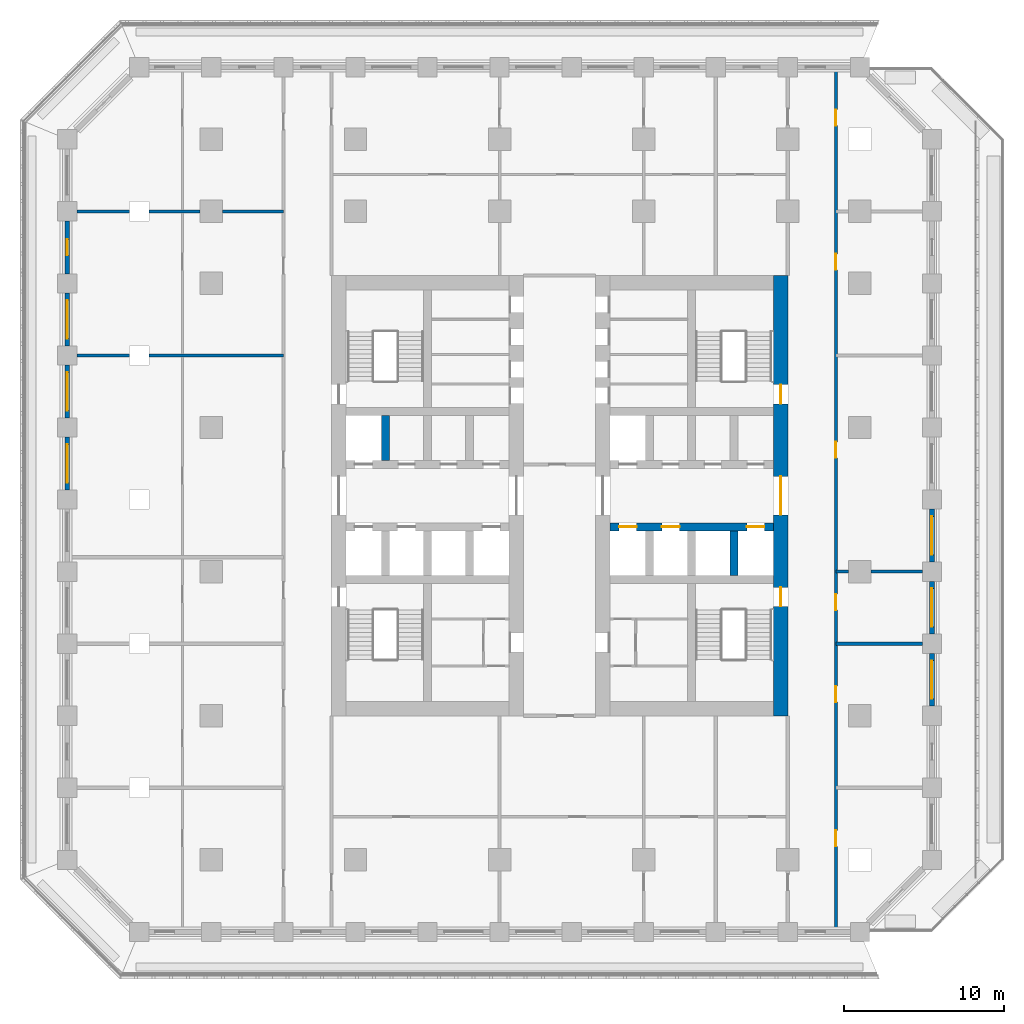
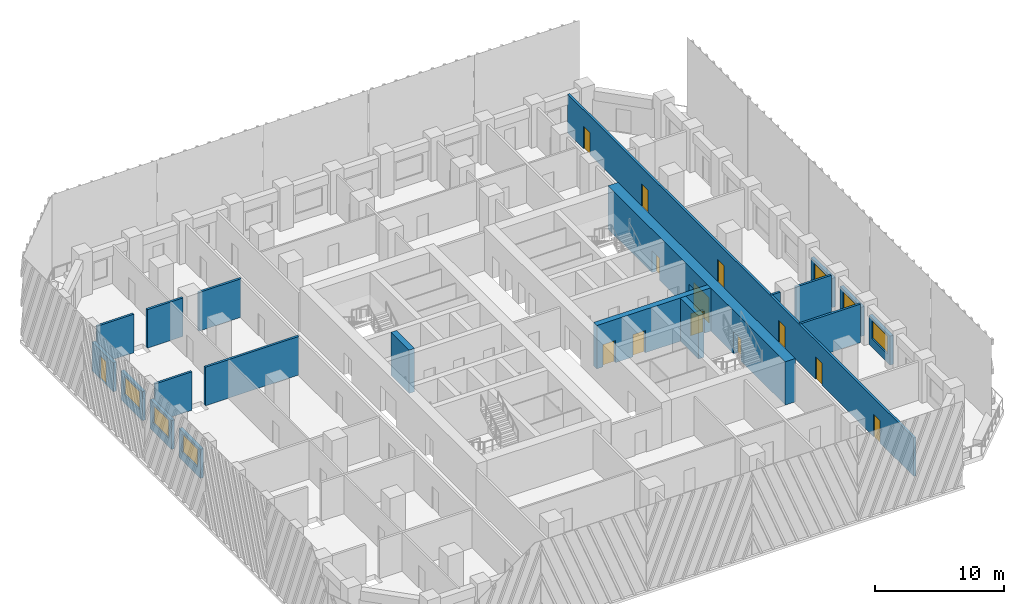
# One storey, part 6 of 19: 20 walls, 13 doors, 6 windows, 19 openings.
"""IFC4 building model written with IfcOpenShell, lengths in metres."""

from ifc_helpers import new_model, si_unit, direction, frame, frame_2d, origin, place, context, subcontext, project, spatial, rectangle, extrude, material, layer, layer_set, type_object, element, fill, save


model = new_model("IFC4")

# Units and contexts
model_context = context("Model", 3, precision=1e-05, world=origin(), true_north=direction((0.0, 1.0)))
body_context = subcontext(model_context, "Body", "Model", "MODEL_VIEW")
ifc_project = project(units=[si_unit("LENGTHUNIT", "METRE"), si_unit("AREAUNIT", "SQUARE_METRE"), si_unit("VOLUMEUNIT", "CUBIC_METRE"), si_unit("PLANEANGLEUNIT", "RADIAN"), si_unit("MASSUNIT", "GRAM", prefix="KILO")], contexts=[model_context])

# Site, building, storey
site_placement = place(None, origin())
site = spatial("IfcSite", under=ifc_project, at=site_placement, CompositionType="ELEMENT")
building_placement = place(site_placement, origin())
building = spatial("IfcBuilding", under=site, at=building_placement, Name="Corbel Stack Research Tower", CompositionType="ELEMENT")
storey_placement = place(building_placement, frame((0.0, 0.0, 116.699951171875)))
storey = spatial("IfcBuildingStorey", under=building, at=storey_placement, Name="L26", CompositionType="ELEMENT", Elevation=116.699951171875)

# Wall
ifc_material_1 = material(Name="Concrete C70/85", Category="concrete")
ifc_layer_1 = layer(ifc_material_1, 0.5)
ifc_layer_set_1 = layer_set([ifc_layer_1], Name="Concrete C70/85")
wall_type_1 = type_object("IfcWallType", Name="CW-500-70", PredefinedType="SHEAR", material=ifc_layer_set_1)
wall_1_placement = place(storey_placement, frame((-7.125, 6.949951171875, 0.0), z_axis=(0.0, 0.0, 1.0), x_axis=(0.0, 1.0, 0.0)))
element("IfcWall", 1, at=wall_1_placement, inside=storey, type_object=wall_type_1, Name="West core wall, north shaft 1 L26", PredefinedType="SHEAR", context=body_context, shape_type="SweptSolid", body=[
    extrude(rectangle(XDim=2.800048828125, YDim=0.5, at=frame_2d((1.39990234375, 0.0))), origin(), (0.0, 0.0, 1.0), 4.10009765625),
])

# Wall, openings, doors
wall_2_placement = place(storey_placement, frame((6.89990234375, 2.800048828125, 0.0), z_axis=(0.0, 0.0, 1.0), x_axis=(1.0, 0.0, 0.0)))
wall_2 = element("IfcWall", 2, at=wall_2_placement, inside=storey, type_object=wall_type_1, Name="East core wall, lobby south L26", PredefinedType="SHEAR", context=body_context, shape_type="SweptSolid", body=[
    extrude(rectangle(XDim=10.2001953125, YDim=0.5, at=frame_2d((5.10009765625, 0.0))), origin(), (0.0, 0.0, 1.0), 4.10009765625),
])
opening_1_placement = place(wall_2_placement, frame((0.5625, 0.0, 0.0)))
opening_1 = element("IfcOpeningElement", 3, at=opening_1_placement, cuts=wall_2, Name="Opening LD-FS2", PredefinedType="OPENING", context=body_context, shape_type="SweptSolid", body=[
    extrude(rectangle(XDim=1.10009765625, YDim=2.10009765625, at=frame_2d((0.550048828125, 1.050048828125))), frame((0.0, 0.260009765625, 0.0), z_axis=(0.0, -1.0, 0.0), x_axis=(1.0, 0.0, 0.0)), (0.0, 0.0, 1.0), 0.52001953125),
])
opening_2_placement = place(wall_2_placement, frame((3.237548828125, 0.0, 0.0)))
opening_2 = element("IfcOpeningElement", 4, at=opening_2_placement, cuts=wall_2, Name="Opening LD-GL2", PredefinedType="OPENING", context=body_context, shape_type="SweptSolid", body=[
    extrude(rectangle(XDim=1.10009765625, YDim=2.10009765625, at=frame_2d((0.550048828125, 1.050048828125))), frame((0.0, 0.260009765625, 0.0), z_axis=(0.0, -1.0, 0.0), x_axis=(1.0, 0.0, 0.0)), (0.0, 0.0, 1.0), 0.52001953125),
])
opening_3_placement = place(wall_2_placement, frame((8.53759765625, 0.0, 0.0)))
opening_3 = element("IfcOpeningElement", 5, at=opening_3_placement, cuts=wall_2, Name="Opening LD-LR3", PredefinedType="OPENING", context=body_context, shape_type="SweptSolid", body=[
    extrude(rectangle(XDim=1.10009765625, YDim=2.10009765625, at=frame_2d((0.550048828125, 1.050048828125))), frame((0.0, 0.260009765625, 0.0), z_axis=(0.0, -1.0, 0.0), x_axis=(1.0, 0.0, 0.0)), (0.0, 0.0, 1.0), 0.52001953125),
])
ifc_material_2 = material(Name="Stainless steel landing door", Category="steel")
door_type_1 = type_object("IfcDoorType", Name="Lift landing door 1100 x 2100", OperationType="DOUBLE_DOOR_SLIDING", PredefinedType="DOOR", material=ifc_material_2)
door_1_placement = place(opening_1_placement, origin())
door_1 = element("IfcDoor", 6, at=door_1_placement, inside=storey, type_object=door_type_1, Name="Landing door FS2", OperationType="DOUBLE_DOOR_SLIDING", OverallHeight=2.10009765625, OverallWidth=1.10009765625, PredefinedType="DOOR", context=body_context, shape_type="SweptSolid", body=[
    extrude(rectangle(XDim=1.10009765625, YDim=2.10009765625, at=frame_2d((0.550048828125, 1.050048828125))), frame((0.0, 0.02490234375, 0.0), z_axis=(0.0, -1.0, 0.0), x_axis=(1.0, 0.0, 0.0)), (0.0, 0.0, 1.0), 0.050048828125),
])
fill(opening_1, door_1)
door_2_placement = place(opening_2_placement, origin())
door_2 = element("IfcDoor", 7, at=door_2_placement, inside=storey, type_object=door_type_1, Name="Landing door GL2", OperationType="DOUBLE_DOOR_SLIDING", OverallHeight=2.10009765625, OverallWidth=1.10009765625, PredefinedType="DOOR", context=body_context, shape_type="SweptSolid", body=[
    extrude(rectangle(XDim=1.10009765625, YDim=2.10009765625, at=frame_2d((0.550048828125, 1.050048828125))), frame((0.0, 0.02490234375, 0.0), z_axis=(0.0, -1.0, 0.0), x_axis=(1.0, 0.0, 0.0)), (0.0, 0.0, 1.0), 0.050048828125),
])
fill(opening_2, door_2)
door_3_placement = place(opening_3_placement, origin())
door_3 = element("IfcDoor", 8, at=door_3_placement, inside=storey, type_object=door_type_1, Name="Landing door LR3", OperationType="DOUBLE_DOOR_SLIDING", OverallHeight=2.10009765625, OverallWidth=1.10009765625, PredefinedType="DOOR", context=body_context, shape_type="SweptSolid", body=[
    extrude(rectangle(XDim=1.10009765625, YDim=2.10009765625, at=frame_2d((0.550048828125, 1.050048828125))), frame((0.0, 0.02490234375, 0.0), z_axis=(0.0, -1.0, 0.0), x_axis=(1.0, 0.0, 0.0)), (0.0, 0.0, 1.0), 0.050048828125),
])
fill(opening_3, door_3)

# Wall
wall_3_placement = place(storey_placement, frame((14.625, -0.25, 0.0), z_axis=(0.0, 0.0, 1.0), x_axis=(0.0, 1.0, 0.0)))
element("IfcWall", 9, at=wall_3_placement, inside=storey, type_object=wall_type_1, Name="East core wall, south shaft 3 L26", PredefinedType="SHEAR", context=body_context, shape_type="SweptSolid", body=[
    extrude(rectangle(XDim=2.800048828125, YDim=0.5, at=frame_2d((1.39990234375, 0.0))), origin(), (0.0, 0.0, 1.0), 4.10009765625),
])

# Wall, openings, doors
ifc_material_3 = material(Name="Concrete C70/85", Category="concrete")
ifc_layer_2 = layer(ifc_material_3, 0.89990234375)
ifc_layer_set_2 = layer_set([ifc_layer_2], Name="Concrete C70/85")
wall_type_2 = type_object("IfcWallType", Name="CW-900-70", PredefinedType="SHEAR", material=ifc_layer_set_2)
wall_4_placement = place(storey_placement, frame((17.550048828125, -9.0, 0.0), z_axis=(0.0, 0.0, 1.0), x_axis=(0.0, 1.0, 0.0)))
wall_4 = element("IfcWall", 10, at=wall_4_placement, inside=storey, type_object=wall_type_2, Name="East core wall, east face L26", PredefinedType="SHEAR", context=body_context, shape_type="SweptSolid", body=[
    extrude(rectangle(XDim=27.5, YDim=0.89990234375, at=frame_2d((13.75, 0.0))), origin(), (0.0, 0.0, 1.0), 4.10009765625),
])
opening_4_placement = place(wall_4_placement, frame((12.550048828125, 0.0, 0.0)))
opening_4 = element("IfcOpeningElement", 11, at=opening_4_placement, cuts=wall_4, Name="Opening CD-E-E", PredefinedType="OPENING", context=body_context, shape_type="SweptSolid", body=[
    extrude(rectangle(XDim=2.39990234375, YDim=2.39990234375, at=frame_2d((1.199951171875, 1.199951171875))), frame((0.0, 0.4599609375, 0.0), z_axis=(0.0, -1.0, 0.0), x_axis=(1.0, 0.0, 0.0)), (0.0, 0.0, 1.0), 0.919921875),
])
opening_5_placement = place(wall_4_placement, frame((6.824951171875, 0.0, 0.0)))
opening_5 = element("IfcOpeningElement", 12, at=opening_5_placement, cuts=wall_4, Name="Opening SD-ST-E1", PredefinedType="OPENING", context=body_context, shape_type="SweptSolid", body=[
    extrude(rectangle(XDim=1.199951171875, YDim=2.10009765625, at=frame_2d((0.60009765625, 1.050048828125))), frame((0.0, 0.4599609375, 0.0), z_axis=(0.0, -1.0, 0.0), x_axis=(1.0, 0.0, 0.0)), (0.0, 0.0, 1.0), 0.919921875),
])
opening_6_placement = place(wall_4_placement, frame((19.47509765625, 0.0, 0.0)))
opening_6 = element("IfcOpeningElement", 13, at=opening_6_placement, cuts=wall_4, Name="Opening SD-ST-E2", PredefinedType="OPENING", context=body_context, shape_type="SweptSolid", body=[
    extrude(rectangle(XDim=1.199951171875, YDim=2.10009765625, at=frame_2d((0.60009765625, 1.050048828125))), frame((0.0, 0.4599609375, 0.0), z_axis=(0.0, -1.0, 0.0), x_axis=(1.0, 0.0, 0.0)), (0.0, 0.0, 1.0), 0.919921875),
])
ifc_material_4 = material(Name="Painted steel fire door", Category="steel")
door_type_2 = type_object("IfcDoorType", Name="Lobby door pair 2400 x 2400 FD30S", OperationType="DOUBLE_DOOR_DOUBLE_SWING", PredefinedType="DOOR", material=ifc_material_4)
door_4_placement = place(opening_4_placement, origin())
door_4 = element("IfcDoor", 14, at=door_4_placement, inside=storey, type_object=door_type_2, Name="Lift lobby door E core E", OperationType="DOUBLE_DOOR_DOUBLE_SWING", OverallHeight=2.39990234375, OverallWidth=2.39990234375, PredefinedType="DOOR", context=body_context, shape_type="SweptSolid", body=[
    extrude(rectangle(XDim=2.39990234375, YDim=2.39990234375, at=frame_2d((1.199951171875, 1.199951171875))), frame((0.0, 0.02490234375, 0.0), z_axis=(0.0, -1.0, 0.0), x_axis=(1.0, 0.0, 0.0)), (0.0, 0.0, 1.0), 0.050048828125),
])
fill(opening_4, door_4)
ifc_material_5 = material(Name="Painted steel fire door", Category="steel")
door_type_3 = type_object("IfcDoorType", Name="Stair door 1200 x 2100 FD90 right hand", OperationType="SINGLE_SWING_RIGHT", PredefinedType="DOOR", material=ifc_material_5)
door_5_placement = place(opening_5_placement, frame((1.199951171875, 0.0, 0.0), z_axis=(0.0, 0.0, 1.0), x_axis=(-1.0, 0.0, 0.0)))
door_5 = element("IfcDoor", 15, at=door_5_placement, inside=storey, type_object=door_type_3, Name="Stair door ST-E1", OperationType="SINGLE_SWING_LEFT", OverallHeight=2.10009765625, OverallWidth=1.199951171875, PredefinedType="DOOR", context=body_context, shape_type="SweptSolid", body=[
    extrude(rectangle(XDim=1.199951171875, YDim=2.10009765625, at=frame_2d((0.60009765625, 1.050048828125))), frame((0.0, 0.02490234375, 0.0), z_axis=(0.0, -1.0, 0.0), x_axis=(1.0, 0.0, 0.0)), (0.0, 0.0, 1.0), 0.050048828125),
])
fill(opening_5, door_5)
door_6_placement = place(opening_6_placement, frame((1.199951171875, 0.0, 0.0), z_axis=(0.0, 0.0, 1.0), x_axis=(-1.0, 0.0, 0.0)))
door_6 = element("IfcDoor", 16, at=door_6_placement, inside=storey, type_object=door_type_3, Name="Stair door ST-E2", OperationType="SINGLE_SWING_LEFT", OverallHeight=2.10009765625, OverallWidth=1.199951171875, PredefinedType="DOOR", context=body_context, shape_type="SweptSolid", body=[
    extrude(rectangle(XDim=1.199951171875, YDim=2.10009765625, at=frame_2d((0.60009765625, 1.050048828125))), frame((0.0, 0.02490234375, 0.0), z_axis=(0.0, -1.0, 0.0), x_axis=(1.0, 0.0, 0.0)), (0.0, 0.0, 1.0), 0.050048828125),
])
fill(opening_6, door_6)

ifc_material_6 = material(Name="Fire-rated gypsum board partition on steel studs", Category="steel")
ifc_layer_3 = layer(ifc_material_6, 0.199951171875)
ifc_layer_set_3 = layer_set([ifc_layer_3], Name="Fire-rated gypsum board partition on steel studs")
wall_type_3 = type_object("IfcWallType", Name="Fire-rated partition 200 EI 60", PredefinedType="PARTITIONING", material=ifc_layer_set_3)
wall_5_placement = place(storey_placement, frame((21.0, 31.35009765625, 0.0), z_axis=(0.0, 0.0, 1.0), x_axis=(0.0, -1.0, 0.0)))
wall_5 = element("IfcWall", 17, at=wall_5_placement, inside=storey, type_object=wall_type_3, Name="Partition L26-022", PredefinedType="PARTITIONING", context=body_context, shape_type="SweptSolid", body=[
    extrude(rectangle(XDim=53.7001953125, YDim=0.199951171875, at=frame_2d((26.85009765625, 0.0))), origin(), (0.0, 0.0, 1.0), 3.650146484375),
])
opening_7_placement = place(wall_5_placement, frame((47.5, 0.0, 0.0)))
opening_7 = element("IfcOpeningElement", 18, at=opening_7_placement, cuts=wall_5, Name="Opening B4V0H-026", PredefinedType="OPENING", context=body_context, shape_type="SweptSolid", body=[
    extrude(rectangle(XDim=1.0, YDim=2.10009765625, at=frame_2d((0.5, 1.050048828125))), frame((0.0, 0.10986328125, 0.0), z_axis=(0.0, -1.0, 0.0), x_axis=(1.0, 0.0, 0.0)), (0.0, 0.0, 1.0), 0.219970703125),
])
opening_8_placement = place(wall_5_placement, frame((38.5, 0.0, 0.0)))
opening_8 = element("IfcOpeningElement", 19, at=opening_8_placement, cuts=wall_5, Name="Opening B4V0H-027", PredefinedType="OPENING", context=body_context, shape_type="SweptSolid", body=[
    extrude(rectangle(XDim=1.0, YDim=2.10009765625, at=frame_2d((0.5, 1.050048828125))), frame((0.0, 0.10986328125, 0.0), z_axis=(0.0, -1.0, 0.0), x_axis=(1.0, 0.0, 0.0)), (0.0, 0.0, 1.0), 0.219970703125),
])
opening_9_placement = place(wall_5_placement, frame((32.75, 0.0, 0.0)))
opening_9 = element("IfcOpeningElement", 20, at=opening_9_placement, cuts=wall_5, Name="Opening B4V0H-028", PredefinedType="OPENING", context=body_context, shape_type="SweptSolid", body=[
    extrude(rectangle(XDim=1.0, YDim=2.10009765625, at=frame_2d((0.5, 1.050048828125))), frame((0.0, 0.10986328125, 0.0), z_axis=(0.0, -1.0, 0.0), x_axis=(1.0, 0.0, 0.0)), (0.0, 0.0, 1.0), 0.219970703125),
])
opening_10_placement = place(wall_5_placement, frame((23.25, 0.0, 0.0)))
opening_10 = element("IfcOpeningElement", 21, at=opening_10_placement, cuts=wall_5, Name="Opening B4V0H-029", PredefinedType="OPENING", context=body_context, shape_type="SweptSolid", body=[
    extrude(rectangle(XDim=1.0, YDim=2.10009765625, at=frame_2d((0.5, 1.050048828125))), frame((0.0, 0.10986328125, 0.0), z_axis=(0.0, -1.0, 0.0), x_axis=(1.0, 0.0, 0.0)), (0.0, 0.0, 1.0), 0.219970703125),
])
opening_11_placement = place(wall_5_placement, frame((11.5, 0.0, 0.0)))
opening_11 = element("IfcOpeningElement", 22, at=opening_11_placement, cuts=wall_5, Name="Opening B4V0H-030", PredefinedType="OPENING", context=body_context, shape_type="SweptSolid", body=[
    extrude(rectangle(XDim=1.0, YDim=2.10009765625, at=frame_2d((0.5, 1.050048828125))), frame((0.0, 0.10986328125, 0.0), z_axis=(0.0, -1.0, 0.0), x_axis=(1.0, 0.0, 0.0)), (0.0, 0.0, 1.0), 0.219970703125),
])
opening_12_placement = place(wall_5_placement, frame((2.5, 0.0, 0.0)))
opening_12 = element("IfcOpeningElement", 23, at=opening_12_placement, cuts=wall_5, Name="Opening B4V0H-031", PredefinedType="OPENING", context=body_context, shape_type="SweptSolid", body=[
    extrude(rectangle(XDim=1.0, YDim=2.10009765625, at=frame_2d((0.5, 1.050048828125))), frame((0.0, 0.10986328125, 0.0), z_axis=(0.0, -1.0, 0.0), x_axis=(1.0, 0.0, 0.0)), (0.0, 0.0, 1.0), 0.219970703125),
])
ifc_material_7 = material(Name="Painted steel fire door", Category="steel")
door_type_4 = type_object("IfcDoorType", Name="Fire door FD30S 1000 x 2100", OperationType="NOTDEFINED", PredefinedType="DOOR", material=ifc_material_7)
door_7_placement = place(opening_7_placement, origin())
door_7 = element("IfcDoor", 24, at=door_7_placement, inside=storey, type_object=door_type_4, Name="Door B4V0H-026", OperationType="SINGLE_SWING_RIGHT", OverallHeight=2.10009765625, OverallWidth=1.0, PredefinedType="DOOR", context=body_context, shape_type="SweptSolid", body=[
    extrude(rectangle(XDim=1.0, YDim=2.10009765625, at=frame_2d((0.5, 1.050048828125))), frame((0.0, 0.02490234375, 0.0), z_axis=(0.0, -1.0, 0.0), x_axis=(1.0, 0.0, 0.0)), (0.0, 0.0, 1.0), 0.050048828125),
])
fill(opening_7, door_7)
door_8_placement = place(opening_8_placement, origin())
door_8 = element("IfcDoor", 25, at=door_8_placement, inside=storey, type_object=door_type_4, Name="Door B4V0H-027", OperationType="SINGLE_SWING_RIGHT", OverallHeight=2.10009765625, OverallWidth=1.0, PredefinedType="DOOR", context=body_context, shape_type="SweptSolid", body=[
    extrude(rectangle(XDim=1.0, YDim=2.10009765625, at=frame_2d((0.5, 1.050048828125))), frame((0.0, 0.02490234375, 0.0), z_axis=(0.0, -1.0, 0.0), x_axis=(1.0, 0.0, 0.0)), (0.0, 0.0, 1.0), 0.050048828125),
])
fill(opening_8, door_8)
door_9_placement = place(opening_9_placement, origin())
door_9 = element("IfcDoor", 26, at=door_9_placement, inside=storey, type_object=door_type_4, Name="Door B4V0H-028", OperationType="SINGLE_SWING_RIGHT", OverallHeight=2.10009765625, OverallWidth=1.0, PredefinedType="DOOR", context=body_context, shape_type="SweptSolid", body=[
    extrude(rectangle(XDim=1.0, YDim=2.10009765625, at=frame_2d((0.5, 1.050048828125))), frame((0.0, 0.02490234375, 0.0), z_axis=(0.0, -1.0, 0.0), x_axis=(1.0, 0.0, 0.0)), (0.0, 0.0, 1.0), 0.050048828125),
])
fill(opening_9, door_9)
door_10_placement = place(opening_10_placement, origin())
door_10 = element("IfcDoor", 27, at=door_10_placement, inside=storey, type_object=door_type_4, Name="Door B4V0H-029", OperationType="SINGLE_SWING_LEFT", OverallHeight=2.10009765625, OverallWidth=1.0, PredefinedType="DOOR", context=body_context, shape_type="SweptSolid", body=[
    extrude(rectangle(XDim=1.0, YDim=2.10009765625, at=frame_2d((0.5, 1.050048828125))), frame((0.0, 0.02490234375, 0.0), z_axis=(0.0, -1.0, 0.0), x_axis=(1.0, 0.0, 0.0)), (0.0, 0.0, 1.0), 0.050048828125),
])
fill(opening_10, door_10)
door_11_placement = place(opening_11_placement, origin())
door_11 = element("IfcDoor", 28, at=door_11_placement, inside=storey, type_object=door_type_4, Name="Door B4V0H-030", OperationType="SINGLE_SWING_LEFT", OverallHeight=2.10009765625, OverallWidth=1.0, PredefinedType="DOOR", context=body_context, shape_type="SweptSolid", body=[
    extrude(rectangle(XDim=1.0, YDim=2.10009765625, at=frame_2d((0.5, 1.050048828125))), frame((0.0, 0.02490234375, 0.0), z_axis=(0.0, -1.0, 0.0), x_axis=(1.0, 0.0, 0.0)), (0.0, 0.0, 1.0), 0.050048828125),
])
fill(opening_11, door_11)
door_12_placement = place(opening_12_placement, origin())
door_12 = element("IfcDoor", 29, at=door_12_placement, inside=storey, type_object=door_type_4, Name="Door B4V0H-031", OperationType="SINGLE_SWING_LEFT", OverallHeight=2.10009765625, OverallWidth=1.0, PredefinedType="DOOR", context=body_context, shape_type="SweptSolid", body=[
    extrude(rectangle(XDim=1.0, YDim=2.10009765625, at=frame_2d((0.5, 1.050048828125))), frame((0.0, 0.02490234375, 0.0), z_axis=(0.0, -1.0, 0.0), x_axis=(1.0, 0.0, 0.0)), (0.0, 0.0, 1.0), 0.050048828125),
])
fill(opening_12, door_12)

# Walls
wall_6_placement = place(storey_placement, frame((21.0, -4.5, 0.0), z_axis=(0.0, 0.0, 1.0), x_axis=(1.0, 0.0, 0.0)))
element("IfcWall", 30, at=wall_6_placement, inside=storey, type_object=wall_type_3, Name="Partition L26-030", PredefinedType="PARTITIONING", context=body_context, shape_type="SweptSolid", body=[
    extrude(rectangle(XDim=5.39990234375, YDim=0.199951171875, at=frame_2d((2.699951171875, 0.0))), origin(), (0.0, 0.0, 1.0), 3.650146484375),
])
wall_7_placement = place(storey_placement, frame((21.0, 0.0, 0.0), z_axis=(0.0, 0.0, 1.0), x_axis=(1.0, 0.0, 0.0)))
element("IfcWall", 31, at=wall_7_placement, inside=storey, type_object=wall_type_3, Name="Partition L26-031", PredefinedType="PARTITIONING", context=body_context, shape_type="SweptSolid", body=[
    extrude(rectangle(XDim=0.800048828125, YDim=0.199951171875, at=frame_2d((0.39990234375, 0.0))), origin(), (0.0, 0.0, 1.0), 3.650146484375),
])
wall_8_placement = place(storey_placement, frame((23.199951171875, 0.0, 0.0), z_axis=(0.0, 0.0, 1.0), x_axis=(1.0, 0.0, 0.0)))
element("IfcWall", 32, at=wall_8_placement, inside=storey, type_object=wall_type_3, Name="Partition L26-032", PredefinedType="PARTITIONING", context=body_context, shape_type="SweptSolid", body=[
    extrude(rectangle(XDim=3.199951171875, YDim=0.199951171875, at=frame_2d((1.60009765625, 0.0))), origin(), (0.0, 0.0, 1.0), 3.650146484375),
])
wall_9_placement = place(storey_placement, frame((-26.39990234375, 13.5, 0.0), z_axis=(0.0, 0.0, 1.0), x_axis=(1.0, 0.0, 0.0)))
element("IfcWall", 33, at=wall_9_placement, inside=storey, type_object=wall_type_3, Name="Partition L26-035", PredefinedType="PARTITIONING", context=body_context, shape_type="SweptSolid", body=[
    extrude(rectangle(XDim=3.2998046875, YDim=0.199951171875, at=frame_2d((1.64990234375, 0.0))), origin(), (0.0, 0.0, 1.0), 3.650146484375),
])
wall_10_placement = place(storey_placement, frame((-21.89990234375, 13.5, 0.0), z_axis=(0.0, 0.0, 1.0), x_axis=(1.0, 0.0, 0.0)))
element("IfcWall", 34, at=wall_10_placement, inside=storey, type_object=wall_type_3, Name="Partition L26-036", PredefinedType="PARTITIONING", context=body_context, shape_type="SweptSolid", body=[
    extrude(rectangle(XDim=8.39990234375, YDim=0.199951171875, at=frame_2d((4.199951171875, 0.0))), origin(), (0.0, 0.0, 1.0), 3.650146484375),
])
wall_11_placement = place(storey_placement, frame((-26.39990234375, 22.5, 0.0), z_axis=(0.0, 0.0, 1.0), x_axis=(1.0, 0.0, 0.0)))
element("IfcWall", 35, at=wall_11_placement, inside=storey, type_object=wall_type_3, Name="Partition L26-039", PredefinedType="PARTITIONING", context=body_context, shape_type="SweptSolid", body=[
    extrude(rectangle(XDim=3.2998046875, YDim=0.199951171875, at=frame_2d((1.64990234375, 0.0))), origin(), (0.0, 0.0, 1.0), 3.650146484375),
])
wall_12_placement = place(storey_placement, frame((-21.89990234375, 22.5, 0.0), z_axis=(0.0, 0.0, 1.0), x_axis=(1.0, 0.0, 0.0)))
element("IfcWall", 36, at=wall_12_placement, inside=storey, type_object=wall_type_3, Name="Partition L26-040", PredefinedType="PARTITIONING", context=body_context, shape_type="SweptSolid", body=[
    extrude(rectangle(XDim=3.199951171875, YDim=0.199951171875, at=frame_2d((1.60009765625, 0.0))), origin(), (0.0, 0.0, 1.0), 3.650146484375),
])
wall_13_placement = place(storey_placement, frame((-17.300048828125, 22.5, 0.0), z_axis=(0.0, 0.0, 1.0), x_axis=(1.0, 0.0, 0.0)))
element("IfcWall", 37, at=wall_13_placement, inside=storey, type_object=wall_type_3, Name="Partition L26-041", PredefinedType="PARTITIONING", context=body_context, shape_type="SweptSolid", body=[
    extrude(rectangle(XDim=3.800048828125, YDim=0.199951171875, at=frame_2d((1.89990234375, 0.0))), origin(), (0.0, 0.0, 1.0), 3.650146484375),
])

# Wall, opening, window
ifc_material_8 = material(Name="Concrete C45/55", Category="concrete")
ifc_layer_4 = layer(ifc_material_8, 0.300048828125)
ifc_layer_set_4 = layer_set([ifc_layer_4], Name="Concrete C45/55")
wall_type_4 = type_object("IfcWallType", Name="Terracotta-faced concrete wall 300", PredefinedType="SOLIDWALL", material=ifc_layer_set_4)
wall_14_placement = place(storey_placement, frame((27.0, -5.10009765625, 0.0), z_axis=(0.0, 0.0, 1.0), x_axis=(0.0, -1.0, 0.0)))
wall_14 = element("IfcWall", 38, at=wall_14_placement, inside=storey, type_object=wall_type_4, Name="Facade wall L26 E03", PredefinedType="SOLIDWALL", context=body_context, shape_type="SweptSolid", body=[
    extrude(rectangle(XDim=3.2998046875, YDim=0.300048828125, at=frame_2d((1.64990234375, 0.0))), origin(), (0.0, 0.0, 1.0), 2.75),
])
opening_13_placement = place(wall_14_placement, frame((0.449951171875, 0.0, 0.800048828125)))
opening_13 = element("IfcOpeningElement", 39, at=opening_13_placement, cuts=wall_14, Name="Opening W1", PredefinedType="OPENING", context=body_context, shape_type="SweptSolid", body=[
    extrude(rectangle(XDim=2.39990234375, YDim=1.699951171875, at=frame_2d((1.199951171875, 0.85009765625))), frame((0.0, 0.159912109375, 0.0), z_axis=(0.0, -1.0, 0.0), x_axis=(1.0, 0.0, 0.0)), (0.0, 0.0, 1.0), 0.320068359375),
])
ifc_material_9 = material(Name="Aluminium frame, clear double glazing", Category="aluminium")
window_type = type_object("IfcWindowType", Name="Window W1 2400 x 1700", PartitioningType="SINGLE_PANEL", PredefinedType="WINDOW", material=ifc_material_9)
window_1_placement = place(opening_13_placement, origin())
window_1 = element("IfcWindow", 40, at=window_1_placement, inside=storey, type_object=window_type, Name="Window W1 L26 E03", OverallHeight=1.699951171875, OverallWidth=2.39990234375, PartitioningType="SINGLE_PANEL", PredefinedType="WINDOW", context=body_context, shape_type="SweptSolid", body=[
    extrude(rectangle(XDim=2.39990234375, YDim=1.699951171875, at=frame_2d((1.199951171875, 0.85009765625))), frame((0.0, 0.030029296875, 0.0), z_axis=(0.0, -1.0, 0.0), x_axis=(1.0, 0.0, 0.0)), (0.0, 0.0, 1.0), 0.06005859375),
])
fill(opening_13, window_1)

wall_15_placement = place(storey_placement, frame((27.0, -0.60009765625, 0.0), z_axis=(0.0, 0.0, 1.0), x_axis=(0.0, -1.0, 0.0)))
wall_15 = element("IfcWall", 41, at=wall_15_placement, inside=storey, type_object=wall_type_4, Name="Facade wall L26 E04", PredefinedType="SOLIDWALL", context=body_context, shape_type="SweptSolid", body=[
    extrude(rectangle(XDim=3.2998046875, YDim=0.300048828125, at=frame_2d((1.64990234375, 0.0))), origin(), (0.0, 0.0, 1.0), 2.75),
])
opening_14_placement = place(wall_15_placement, frame((0.449951171875, 0.0, 0.800048828125)))
opening_14 = element("IfcOpeningElement", 42, at=opening_14_placement, cuts=wall_15, Name="Opening W1", PredefinedType="OPENING", context=body_context, shape_type="SweptSolid", body=[
    extrude(rectangle(XDim=2.39990234375, YDim=1.699951171875, at=frame_2d((1.199951171875, 0.85009765625))), frame((0.0, 0.159912109375, 0.0), z_axis=(0.0, -1.0, 0.0), x_axis=(1.0, 0.0, 0.0)), (0.0, 0.0, 1.0), 0.320068359375),
])
window_2_placement = place(opening_14_placement, origin())
window_2 = element("IfcWindow", 43, at=window_2_placement, inside=storey, type_object=window_type, Name="Window W1 L26 E04", OverallHeight=1.699951171875, OverallWidth=2.39990234375, PartitioningType="SINGLE_PANEL", PredefinedType="WINDOW", context=body_context, shape_type="SweptSolid", body=[
    extrude(rectangle(XDim=2.39990234375, YDim=1.699951171875, at=frame_2d((1.199951171875, 0.85009765625))), frame((0.0, 0.030029296875, 0.0), z_axis=(0.0, -1.0, 0.0), x_axis=(1.0, 0.0, 0.0)), (0.0, 0.0, 1.0), 0.06005859375),
])
fill(opening_14, window_2)

wall_16_placement = place(storey_placement, frame((27.0, 3.89990234375, 0.0), z_axis=(0.0, 0.0, 1.0), x_axis=(0.0, -1.0, 0.0)))
wall_16 = element("IfcWall", 44, at=wall_16_placement, inside=storey, type_object=wall_type_4, Name="Facade wall L26 E05", PredefinedType="SOLIDWALL", context=body_context, shape_type="SweptSolid", body=[
    extrude(rectangle(XDim=3.2998046875, YDim=0.300048828125, at=frame_2d((1.64990234375, 0.0))), origin(), (0.0, 0.0, 1.0), 2.75),
])
opening_15_placement = place(wall_16_placement, frame((0.449951171875, 0.0, 0.800048828125)))
opening_15 = element("IfcOpeningElement", 45, at=opening_15_placement, cuts=wall_16, Name="Opening W1", PredefinedType="OPENING", context=body_context, shape_type="SweptSolid", body=[
    extrude(rectangle(XDim=2.39990234375, YDim=1.699951171875, at=frame_2d((1.199951171875, 0.85009765625))), frame((0.0, 0.159912109375, 0.0), z_axis=(0.0, -1.0, 0.0), x_axis=(1.0, 0.0, 0.0)), (0.0, 0.0, 1.0), 0.320068359375),
])
window_3_placement = place(opening_15_placement, origin())
window_3 = element("IfcWindow", 46, at=window_3_placement, inside=storey, type_object=window_type, Name="Window W1 L26 E05", OverallHeight=1.699951171875, OverallWidth=2.39990234375, PartitioningType="SINGLE_PANEL", PredefinedType="WINDOW", context=body_context, shape_type="SweptSolid", body=[
    extrude(rectangle(XDim=2.39990234375, YDim=1.699951171875, at=frame_2d((1.199951171875, 0.85009765625))), frame((0.0, 0.030029296875, 0.0), z_axis=(0.0, -1.0, 0.0), x_axis=(1.0, 0.0, 0.0)), (0.0, 0.0, 1.0), 0.06005859375),
])
fill(opening_15, window_3)

# Wall, opening, door
wall_17_placement = place(storey_placement, frame((-27.0, 18.60009765625, 0.0), z_axis=(0.0, 0.0, 1.0), x_axis=(0.0, 1.0, 0.0)))
wall_17 = element("IfcWall", 47, at=wall_17_placement, inside=storey, type_object=wall_type_4, Name="Facade wall L26 W02", PredefinedType="SOLIDWALL", context=body_context, shape_type="SweptSolid", body=[
    extrude(rectangle(XDim=3.2998046875, YDim=0.300048828125, at=frame_2d((1.64990234375, 0.0))), origin(), (0.0, 0.0, 1.0), 2.75),
])
opening_16_placement = place(wall_17_placement, frame((1.14990234375, 0.0, 0.0)))
opening_16 = element("IfcOpeningElement", 48, at=opening_16_placement, cuts=wall_17, Name="Opening L26-B10", PredefinedType="OPENING", context=body_context, shape_type="SweptSolid", body=[
    extrude(rectangle(XDim=1.0, YDim=2.199951171875, at=frame_2d((0.5, 1.10009765625))), frame((0.0, 0.159912109375, 0.0), z_axis=(0.0, -1.0, 0.0), x_axis=(1.0, 0.0, 0.0)), (0.0, 0.0, 1.0), 0.320068359375),
])
ifc_material_10 = material(Name="Aluminium frame, clear double glazing", Category="aluminium")
door_type_5 = type_object("IfcDoorType", Name="Balcony door BD1 1000 x 2200", OperationType="NOTDEFINED", PredefinedType="DOOR", material=ifc_material_10)
door_13_placement = place(opening_16_placement, origin())
door_13 = element("IfcDoor", 49, at=door_13_placement, inside=storey, type_object=door_type_5, Name="Balcony door L26-B10", OperationType="SINGLE_SWING_RIGHT", OverallHeight=2.199951171875, OverallWidth=1.0, PredefinedType="DOOR", context=body_context, shape_type="SweptSolid", body=[
    extrude(rectangle(XDim=1.0, YDim=2.199951171875, at=frame_2d((0.5, 1.10009765625))), frame((0.0, 0.02490234375, 0.0), z_axis=(0.0, -1.0, 0.0), x_axis=(1.0, 0.0, 0.0)), (0.0, 0.0, 1.0), 0.050048828125),
])
fill(opening_16, door_13)

# Wall, opening, window
wall_18_placement = place(storey_placement, frame((-27.0, 14.10009765625, 0.0), z_axis=(0.0, 0.0, 1.0), x_axis=(0.0, 1.0, 0.0)))
wall_18 = element("IfcWall", 50, at=wall_18_placement, inside=storey, type_object=wall_type_4, Name="Facade wall L26 W03", PredefinedType="SOLIDWALL", context=body_context, shape_type="SweptSolid", body=[
    extrude(rectangle(XDim=3.2998046875, YDim=0.300048828125, at=frame_2d((1.64990234375, 0.0))), origin(), (0.0, 0.0, 1.0), 2.75),
])
opening_17_placement = place(wall_18_placement, frame((0.449951171875, 0.0, 0.800048828125)))
opening_17 = element("IfcOpeningElement", 51, at=opening_17_placement, cuts=wall_18, Name="Opening W1", PredefinedType="OPENING", context=body_context, shape_type="SweptSolid", body=[
    extrude(rectangle(XDim=2.39990234375, YDim=1.699951171875, at=frame_2d((1.199951171875, 0.85009765625))), frame((0.0, 0.159912109375, 0.0), z_axis=(0.0, -1.0, 0.0), x_axis=(1.0, 0.0, 0.0)), (0.0, 0.0, 1.0), 0.320068359375),
])
window_4_placement = place(opening_17_placement, origin())
window_4 = element("IfcWindow", 52, at=window_4_placement, inside=storey, type_object=window_type, Name="Window W1 L26 W03", OverallHeight=1.699951171875, OverallWidth=2.39990234375, PartitioningType="SINGLE_PANEL", PredefinedType="WINDOW", context=body_context, shape_type="SweptSolid", body=[
    extrude(rectangle(XDim=2.39990234375, YDim=1.699951171875, at=frame_2d((1.199951171875, 0.85009765625))), frame((0.0, 0.030029296875, 0.0), z_axis=(0.0, -1.0, 0.0), x_axis=(1.0, 0.0, 0.0)), (0.0, 0.0, 1.0), 0.06005859375),
])
fill(opening_17, window_4)

wall_19_placement = place(storey_placement, frame((-27.0, 9.60009765625, 0.0), z_axis=(0.0, 0.0, 1.0), x_axis=(0.0, 1.0, 0.0)))
wall_19 = element("IfcWall", 53, at=wall_19_placement, inside=storey, type_object=wall_type_4, Name="Facade wall L26 W04", PredefinedType="SOLIDWALL", context=body_context, shape_type="SweptSolid", body=[
    extrude(rectangle(XDim=3.2998046875, YDim=0.300048828125, at=frame_2d((1.64990234375, 0.0))), origin(), (0.0, 0.0, 1.0), 2.75),
])
opening_18_placement = place(wall_19_placement, frame((0.449951171875, 0.0, 0.800048828125)))
opening_18 = element("IfcOpeningElement", 54, at=opening_18_placement, cuts=wall_19, Name="Opening W1", PredefinedType="OPENING", context=body_context, shape_type="SweptSolid", body=[
    extrude(rectangle(XDim=2.39990234375, YDim=1.699951171875, at=frame_2d((1.199951171875, 0.85009765625))), frame((0.0, 0.159912109375, 0.0), z_axis=(0.0, -1.0, 0.0), x_axis=(1.0, 0.0, 0.0)), (0.0, 0.0, 1.0), 0.320068359375),
])
window_5_placement = place(opening_18_placement, origin())
window_5 = element("IfcWindow", 55, at=window_5_placement, inside=storey, type_object=window_type, Name="Window W1 L26 W04", OverallHeight=1.699951171875, OverallWidth=2.39990234375, PartitioningType="SINGLE_PANEL", PredefinedType="WINDOW", context=body_context, shape_type="SweptSolid", body=[
    extrude(rectangle(XDim=2.39990234375, YDim=1.699951171875, at=frame_2d((1.199951171875, 0.85009765625))), frame((0.0, 0.030029296875, 0.0), z_axis=(0.0, -1.0, 0.0), x_axis=(1.0, 0.0, 0.0)), (0.0, 0.0, 1.0), 0.06005859375),
])
fill(opening_18, window_5)

wall_20_placement = place(storey_placement, frame((-27.0, 5.10009765625, 0.0), z_axis=(0.0, 0.0, 1.0), x_axis=(0.0, 1.0, 0.0)))
wall_20 = element("IfcWall", 56, at=wall_20_placement, inside=storey, type_object=wall_type_4, Name="Facade wall L26 W05", PredefinedType="SOLIDWALL", context=body_context, shape_type="SweptSolid", body=[
    extrude(rectangle(XDim=3.2998046875, YDim=0.300048828125, at=frame_2d((1.64990234375, 0.0))), origin(), (0.0, 0.0, 1.0), 2.75),
])
opening_19_placement = place(wall_20_placement, frame((0.449951171875, 0.0, 0.800048828125)))
opening_19 = element("IfcOpeningElement", 57, at=opening_19_placement, cuts=wall_20, Name="Opening W1", PredefinedType="OPENING", context=body_context, shape_type="SweptSolid", body=[
    extrude(rectangle(XDim=2.39990234375, YDim=1.699951171875, at=frame_2d((1.199951171875, 0.85009765625))), frame((0.0, 0.159912109375, 0.0), z_axis=(0.0, -1.0, 0.0), x_axis=(1.0, 0.0, 0.0)), (0.0, 0.0, 1.0), 0.320068359375),
])
window_6_placement = place(opening_19_placement, origin())
window_6 = element("IfcWindow", 58, at=window_6_placement, inside=storey, type_object=window_type, Name="Window W1 L26 W05", OverallHeight=1.699951171875, OverallWidth=2.39990234375, PartitioningType="SINGLE_PANEL", PredefinedType="WINDOW", context=body_context, shape_type="SweptSolid", body=[
    extrude(rectangle(XDim=2.39990234375, YDim=1.699951171875, at=frame_2d((1.199951171875, 0.85009765625))), frame((0.0, 0.030029296875, 0.0), z_axis=(0.0, -1.0, 0.0), x_axis=(1.0, 0.0, 0.0)), (0.0, 0.0, 1.0), 0.06005859375),
])
fill(opening_19, window_6)

save(model, "model.ifc")
